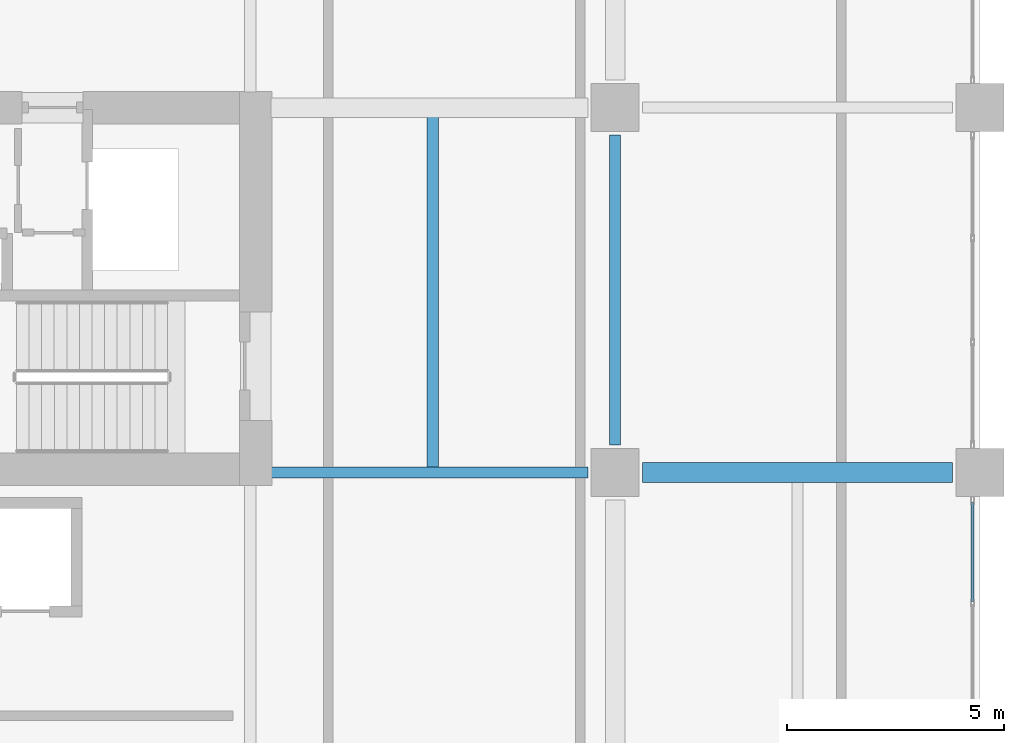
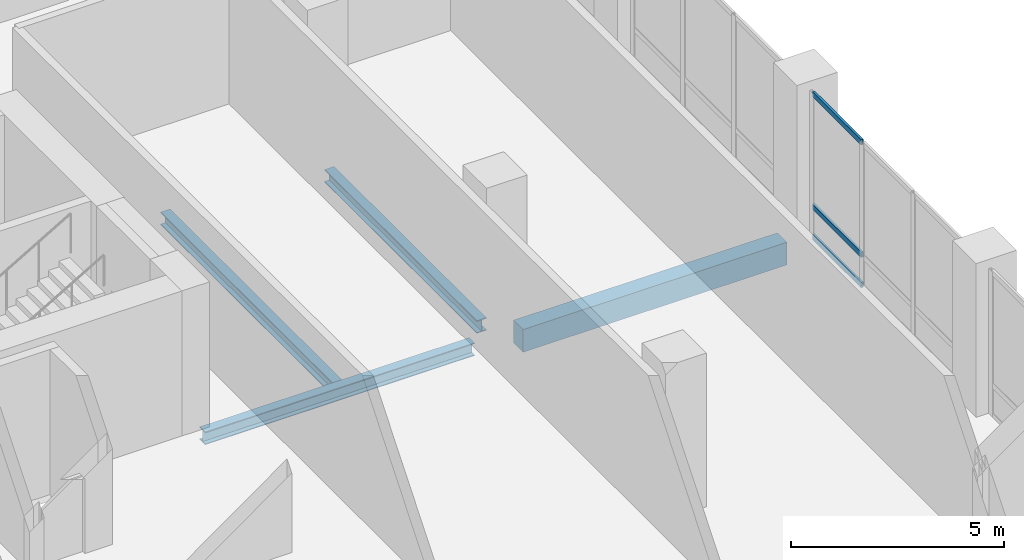
# One storey, part 5 of 22: 4 beams, 3 members, 1 element without a shape of its own.
"""IFC4 building model written with IfcOpenShell, lengths in metres."""

from ifc_helpers import new_model, si_unit, direction, frame, origin, origin_2d, place, context, subcontext, project, spatial, rectangle, hollow_rectangle, i_section, extrude, material, layer, layer_set, material_profile, profile_set, type_object, element, aggregate, save


model = new_model("IFC4")

# Units and contexts
model_context = context("Model", 3, precision=1e-05, world=origin(), true_north=direction((0.0, 1.0)))
body_context = subcontext(model_context, "Body", "Model", "MODEL_VIEW")
ifc_project = project(units=[si_unit("LENGTHUNIT", "METRE"), si_unit("AREAUNIT", "SQUARE_METRE"), si_unit("VOLUMEUNIT", "CUBIC_METRE"), si_unit("PLANEANGLEUNIT", "RADIAN"), si_unit("MASSUNIT", "GRAM", prefix="KILO")], contexts=[model_context])

# Site, building, storey
site_placement = place(None, origin())
site = spatial("IfcSite", under=ifc_project, at=site_placement, CompositionType="ELEMENT")
building_placement = place(site_placement, origin())
building = spatial("IfcBuilding", under=site, at=building_placement, Name="Koriwani Terraces Tower", CompositionType="ELEMENT")
storey_placement = place(building_placement, frame((0.0, 0.0, 153.199951171875)))
storey = spatial("IfcBuildingStorey", under=building, at=storey_placement, Name="L37", CompositionType="ELEMENT", Elevation=153.199951171875)

# Beam
ifc_material_1 = material(Name="Concrete C50/60", Category="concrete")
ifc_material_profile_1 = material_profile(ifc_material_1, rectangle(XDim=0.449951171875, YDim=0.64990234375, at=origin_2d()), Name="Concrete C50/60", Category="LoadBearing")
ifc_profile_set_1 = profile_set([ifc_material_profile_1], Name="Concrete C50/60")
beam_type_1 = type_object("IfcBeamType", Name="BEAM_RC_GRID_450X650", PredefinedType="BEAM", material=ifc_profile_set_1)
beam_1_placement = place(storey_placement, frame((67.830078125, 16.800048828125, -0.574951171875), z_axis=(1.0, 0.0, 0.0), x_axis=(0.0, 1.0, 0.0)))
element("IfcBeam", 1, at=beam_1_placement, inside=storey, type_object=beam_type_1, Name="L37 Grid Beam C (67.2-75.6m)", PredefinedType="BEAM", context=body_context, shape_type="SweptSolid", body=[
    extrude(rectangle(XDim=0.449951171875, YDim=0.64990234375, at=origin_2d()), origin(), (0.0, 0.0, 1.0), 7.139892578125),
])

# Curtain wall, members
ifc_material_2 = material(Name="Anodised Bronze Aluminium", Category="aluminium")
ifc_layer = layer(ifc_material_2, 0.169921875, Name="Anodised Bronze Aluminium")
ifc_layer_set = layer_set([ifc_layer], Name="Anodised Bronze Aluminium")
curtain_wall_type = type_object("IfcCurtainWallType", Name="CW_RES_ZONE3", PredefinedType="NOTDEFINED", material=ifc_layer_set)
curtain_wall_placement = place(storey_placement, origin())
curtain_wall = element("IfcCurtainWall", 2, at=curtain_wall_placement, inside=storey, type_object=curtain_wall_type, Name="L37 Unitised Curtain Wall (E_TIP) Bay 3", PredefinedType="NOTDEFINED")
ifc_material_profile_2 = material_profile(ifc_material_2, hollow_rectangle(XDim=0.06494140625, YDim=0.14990234375, WallThickness=0.0048828125, at=origin_2d()), Name="Anodised Bronze Aluminium", Category="LoadBearing")
ifc_profile_set_2 = profile_set([ifc_material_profile_2], Name="Anodised Bronze Aluminium")
member_type = type_object("IfcMemberType", Name="CW_TRANSOM_150X65", PredefinedType="USERDEFINED", material=ifc_profile_set_2)
member_1_placement = place(storey_placement, frame((75.425048828125, 16.114990234375, 0.032470703125), z_axis=(0.0, -1.0, 0.0), x_axis=(1.0, 0.0, 0.0)))
member_1 = element("IfcMember", 3, at=member_1_placement, type_object=member_type, Name="CW-Z3 transom 1.1", ObjectType="TRANSOM", PredefinedType="USERDEFINED", context=body_context, shape_type="SweptSolid", body=[
    extrude(hollow_rectangle(XDim=0.06494140625, YDim=0.14990234375, WallThickness=0.0048828125, at=origin_2d()), origin(), (0.0, 0.0, 1.0), 2.28076171875),
])
member_2_placement = place(storey_placement, frame((75.425048828125, 16.114990234375, 0.900146484375), z_axis=(0.0, -1.0, 0.0), x_axis=(1.0, 0.0, 0.0)))
member_2 = element("IfcMember", 4, at=member_2_placement, type_object=member_type, Name="CW-Z3 transom 1.2", ObjectType="TRANSOM", PredefinedType="USERDEFINED", context=body_context, shape_type="SweptSolid", body=[
    extrude(hollow_rectangle(XDim=0.06494140625, YDim=0.14990234375, WallThickness=0.0048828125, at=origin_2d()), origin(), (0.0, 0.0, 1.0), 2.28076171875),
])
member_3_placement = place(storey_placement, frame((75.425048828125, 16.114990234375, 4.117431640625), z_axis=(0.0, -1.0, 0.0), x_axis=(1.0, 0.0, 0.0)))
member_3 = element("IfcMember", 5, at=member_3_placement, type_object=member_type, Name="CW-Z3 transom 1.3", ObjectType="TRANSOM", PredefinedType="USERDEFINED", context=body_context, shape_type="SweptSolid", body=[
    extrude(hollow_rectangle(XDim=0.06494140625, YDim=0.14990234375, WallThickness=0.0048828125, at=origin_2d()), origin(), (0.0, 0.0, 1.0), 2.28076171875),
])
aggregate(curtain_wall, [member_1, member_2, member_3])

# Beams
ifc_material_3 = material(Name="Steel ASTM A572 Grade 50", Category="steel")
ifc_material_profile_3 = material_profile(ifc_material_3, i_section(OverallWidth=0.257080078125, OverallDepth=0.363037109375, WebThickness=0.012939453125, FlangeThickness=0.021728515625, at=origin_2d()), Name="Steel ASTM A572 Grade 50", Category="LoadBearing")
ifc_profile_set_3 = profile_set([ifc_material_profile_3], Name="Steel ASTM A572 Grade 50")
beam_type_2 = type_object("IfcBeamType", Name="STEEL_BEAM_W360X122", PredefinedType="JOIST", material=ifc_profile_set_3)
beam_2_placement = place(storey_placement, frame((59.280029296875, 16.800048828125, -0.431396484375), z_axis=(1.0, 0.0, 0.0), x_axis=(0.0, 1.0, 0.0)))
element("IfcBeam", 6, at=beam_2_placement, inside=storey, type_object=beam_type_2, Name="L37 Grid Beam C (58.8-67.2m)", PredefinedType="JOIST", context=body_context, shape_type="SweptSolid", body=[
    extrude(i_section(OverallWidth=0.257080078125, OverallDepth=0.363037109375, WebThickness=0.012939453125, FlangeThickness=0.021728515625, at=origin_2d()), origin(), (0.0, 0.0, 1.0), 7.2900390625),
])
beam_3_placement = place(storey_placement, frame((67.199951171875, 17.429931640625, -0.431396484375), z_axis=(0.0, 1.0, 0.0), x_axis=(-1.0, 0.0, 0.0)))
element("IfcBeam", 7, at=beam_3_placement, inside=storey, type_object=beam_type_2, Name="L37 Grid Beam 9 (16.8-25.2m)", PredefinedType="JOIST", context=body_context, shape_type="SweptSolid", body=[
    extrude(i_section(OverallWidth=0.257080078125, OverallDepth=0.363037109375, WebThickness=0.012939453125, FlangeThickness=0.021728515625, at=origin_2d()), origin(), (0.0, 0.0, 1.0), 7.14013671875),
])
beam_4_placement = place(storey_placement, frame((63.0, 16.91845703125, -0.431396484375), z_axis=(0.0, 1.0, 0.0), x_axis=(-1.0, 0.0, 0.0)))
element("IfcBeam", 8, at=beam_4_placement, inside=storey, type_object=beam_type_2, Name="L37 Secondary Steel Floor Joist X=63.0m", PredefinedType="JOIST", context=body_context, shape_type="SweptSolid", body=[
    extrude(i_section(OverallWidth=0.257080078125, OverallDepth=0.363037109375, WebThickness=0.012939453125, FlangeThickness=0.021728515625, at=origin_2d()), origin(), (0.0, 0.0, 1.0), 8.066650390625),
])

save(model, "model.ifc")
